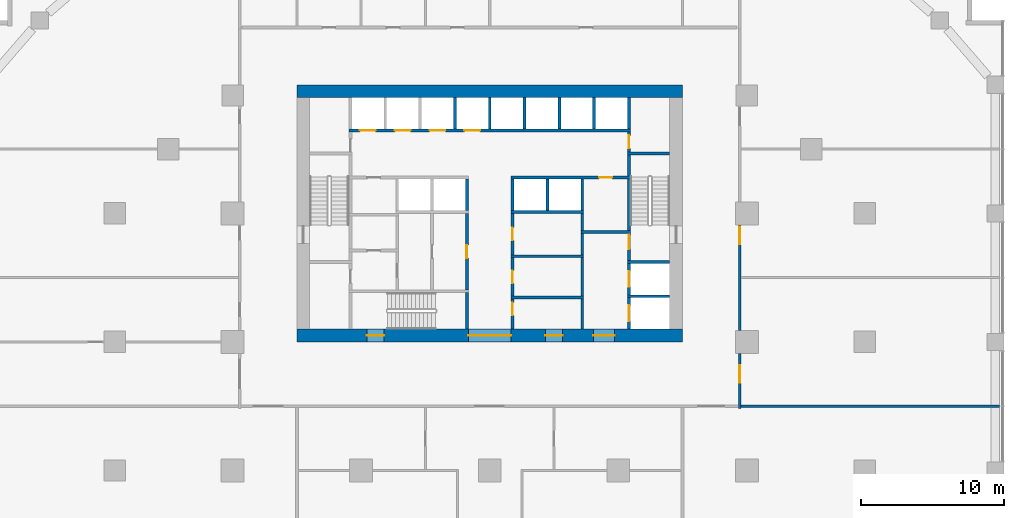
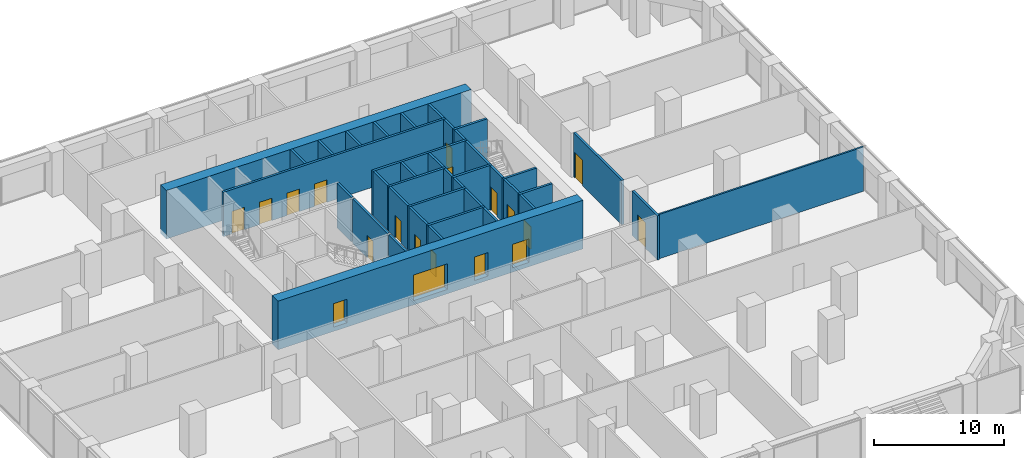
# One storey, part 14 of 18: 39 walls, 19 doors, 19 openings.
"""IFC4 building model written with IfcOpenShell, lengths in metres."""

from ifc_helpers import new_model, si_unit, direction, frame, frame_2d, origin, place, context, subcontext, project, spatial, rectangle, extrude, material, layer, layer_set, type_object, element, fill, save


model = new_model("IFC4")

# Units and contexts
model_context = context("Model", 3, precision=1e-05, world=origin(), true_north=direction((0.0, 1.0)))
body_context = subcontext(model_context, "Body", "Model", "MODEL_VIEW")
ifc_project = project(units=[si_unit("LENGTHUNIT", "METRE"), si_unit("AREAUNIT", "SQUARE_METRE"), si_unit("VOLUMEUNIT", "CUBIC_METRE"), si_unit("PLANEANGLEUNIT", "RADIAN"), si_unit("MASSUNIT", "GRAM", prefix="KILO")], contexts=[model_context])

# Site, building, storey
site_placement = place(None, origin())
site = spatial("IfcSite", under=ifc_project, at=site_placement, CompositionType="ELEMENT")
building_placement = place(site_placement, origin())
building = spatial("IfcBuilding", under=site, at=building_placement, Name="Orbiselva Terraces", CompositionType="ELEMENT")
storey_placement = place(building_placement, frame((0.0, 0.0, 6.0)))
storey = spatial("IfcBuildingStorey", under=building, at=storey_placement, Name="L01", CompositionType="ELEMENT", Elevation=6.0)

# Wall, openings, doors
ifc_material_1 = material(Name="Concrete C80/95", Category="concrete")
ifc_layer_1 = layer(ifc_material_1, 0.9)
ifc_layer_set_1 = layer_set([ifc_layer_1], Name="Concrete C80/95")
wall_type_1 = type_object("IfcWallType", Name="CORE WALL 900", PredefinedType="SHEAR", material=ifc_layer_set_1)
wall_1_placement = place(storey_placement, frame((-13.5, 4.95, -0.4), z_axis=(0.0, 0.0, 1.0), x_axis=(1.0, 0.0, 0.0)))
wall_1 = element("IfcWall", 1, at=wall_1_placement, inside=storey, type_object=wall_type_1, Name="Core wall L01 south", PredefinedType="SHEAR", context=body_context, shape_type="SweptSolid", body=[
    extrude(rectangle(XDim=27.0, YDim=0.9, at=frame_2d((13.5, 0.0))), origin(), (0.0, 0.0, 1.0), 4.55),
])
opening_1_placement = place(wall_1_placement, frame((12.0, 0.0, 0.4)))
opening_1 = element("IfcOpeningElement", 2, at=opening_1_placement, cuts=wall_1, Name="Opening DL3000", PredefinedType="OPENING", context=body_context, shape_type="SweptSolid", body=[
    extrude(rectangle(XDim=3.0, YDim=2.4, at=frame_2d((1.5, 1.2))), frame((0.0, 0.46, 0.0), z_axis=(0.0, -1.0, 0.0), x_axis=(1.0, 0.0, 0.0)), (0.0, 0.0, 1.0), 0.92),
])
opening_2_placement = place(wall_1_placement, frame((4.9, 0.0, 0.4)))
opening_2 = element("IfcOpeningElement", 3, at=opening_2_placement, cuts=wall_1, Name="Opening DS1200", PredefinedType="OPENING", context=body_context, shape_type="SweptSolid", body=[
    extrude(rectangle(XDim=1.2, YDim=2.2, at=frame_2d((0.6, 1.1))), frame((0.0, 0.46, 0.0), z_axis=(0.0, -1.0, 0.0), x_axis=(1.0, 0.0, 0.0)), (0.0, 0.0, 1.0), 0.92),
])
opening_3_placement = place(wall_1_placement, frame((20.75, 0.0, 0.4)))
opening_3 = element("IfcOpeningElement", 4, at=opening_3_placement, cuts=wall_1, Name="Opening DF1500", PredefinedType="OPENING", context=body_context, shape_type="SweptSolid", body=[
    extrude(rectangle(XDim=1.5, YDim=2.2, at=frame_2d((0.75, 1.1))), frame((0.0, 0.46, 0.0), z_axis=(0.0, -1.0, 0.0), x_axis=(1.0, 0.0, 0.0)), (0.0, 0.0, 1.0), 0.92),
])
opening_4_placement = place(wall_1_placement, frame((17.4, 0.0, 0.4)))
opening_4 = element("IfcOpeningElement", 5, at=opening_4_placement, cuts=wall_1, Name="Opening DV1200", PredefinedType="OPENING", context=body_context, shape_type="SweptSolid", body=[
    extrude(rectangle(XDim=1.2, YDim=2.2, at=frame_2d((0.6, 1.1))), frame((0.0, 0.46, 0.0), z_axis=(0.0, -1.0, 0.0), x_axis=(1.0, 0.0, 0.0)), (0.0, 0.0, 1.0), 0.92),
])
ifc_material_2 = material(Name="Steel fire door", Category="steel")
door_type_1 = type_object("IfcDoorType", Name="FFL DOOR 1500", OperationType="DOUBLE_DOOR_SINGLE_SWING", PredefinedType="DOOR", material=ifc_material_2)
door_1_placement = place(opening_3_placement, frame((1.5, 0.0, 0.0), z_axis=(0.0, 0.0, 1.0), x_axis=(-1.0, 0.0, 0.0)))
door_1 = element("IfcDoor", 6, at=door_1_placement, inside=storey, type_object=door_type_1, Name="L01 FIRE-FIGHTING LOBBY door", OperationType="DOUBLE_DOOR_SINGLE_SWING", OverallHeight=2.2, OverallWidth=1.5, PredefinedType="DOOR", context=body_context, shape_type="SweptSolid", body=[
    extrude(rectangle(XDim=1.5, YDim=2.2, at=frame_2d((0.75, 1.1))), frame((0.0, 0.025, 0.0), z_axis=(0.0, -1.0, 0.0), x_axis=(1.0, 0.0, 0.0)), (0.0, 0.0, 1.0), 0.05),
])
fill(opening_3, door_1)
door_type_2 = type_object("IfcDoorType", Name="LOBBY DOOR 3000", OperationType="DOUBLE_DOOR_SINGLE_SWING", PredefinedType="DOOR", material=ifc_material_2)
door_2_placement = place(opening_1_placement, frame((3.0, 0.0, 0.0), z_axis=(0.0, 0.0, 1.0), x_axis=(-1.0, 0.0, 0.0)))
door_2 = element("IfcDoor", 7, at=door_2_placement, inside=storey, type_object=door_type_2, Name="L01 LIFT LOBBY door", OperationType="DOUBLE_DOOR_SINGLE_SWING", OverallHeight=2.4, OverallWidth=3.0, PredefinedType="DOOR", context=body_context, shape_type="SweptSolid", body=[
    extrude(rectangle(XDim=3.0, YDim=2.4, at=frame_2d((1.5, 1.2))), frame((0.0, 0.025, 0.0), z_axis=(0.0, -1.0, 0.0), x_axis=(1.0, 0.0, 0.0)), (0.0, 0.0, 1.0), 0.05),
])
fill(opening_1, door_2)
door_type_3 = type_object("IfcDoorType", Name="SERVICE DOOR 1200", OperationType="NOTDEFINED", PredefinedType="DOOR", material=ifc_material_2)
door_3_placement = place(opening_4_placement, frame((1.2, 0.0, 0.0), z_axis=(0.0, 0.0, 1.0), x_axis=(-1.0, 0.0, 0.0)))
door_3 = element("IfcDoor", 8, at=door_3_placement, inside=storey, type_object=door_type_3, Name="L01 ELECTRICAL RISER ROOM door", OperationType="SINGLE_SWING_RIGHT", OverallHeight=2.2, OverallWidth=1.2, PredefinedType="DOOR", context=body_context, shape_type="SweptSolid", body=[
    extrude(rectangle(XDim=1.2, YDim=2.2, at=frame_2d((0.6, 1.1))), frame((0.0, 0.025, 0.0), z_axis=(0.0, -1.0, 0.0), x_axis=(1.0, 0.0, 0.0)), (0.0, 0.0, 1.0), 0.05),
])
fill(opening_4, door_3)
door_type_4 = type_object("IfcDoorType", Name="STAIR DOOR 1200", OperationType="NOTDEFINED", PredefinedType="DOOR", material=ifc_material_2)
door_4_placement = place(opening_2_placement, frame((1.2, 0.0, 0.0), z_axis=(0.0, 0.0, 1.0), x_axis=(-1.0, 0.0, 0.0)))
door_4 = element("IfcDoor", 9, at=door_4_placement, inside=storey, type_object=door_type_4, Name="L01 EXIT STAIR S3 door", OperationType="SINGLE_SWING_LEFT", OverallHeight=2.2, OverallWidth=1.2, PredefinedType="DOOR", context=body_context, shape_type="SweptSolid", body=[
    extrude(rectangle(XDim=1.2, YDim=2.2, at=frame_2d((0.6, 1.1))), frame((0.0, 0.025, 0.0), z_axis=(0.0, -1.0, 0.0), x_axis=(1.0, 0.0, 0.0)), (0.0, 0.0, 1.0), 0.05),
])
fill(opening_2, door_4)

# Wall
ifc_layer_2 = layer(ifc_material_1, 0.9)
ifc_layer_set_2 = layer_set([ifc_layer_2], Name="Concrete C80/95")
wall_type_2 = type_object("IfcWallType", Name="CORE WALL 900 EXTERNAL", PredefinedType="SHEAR", material=ifc_layer_set_2)
wall_2_placement = place(storey_placement, frame((13.5, 22.05, -0.4), z_axis=(0.0, 0.0, 1.0), x_axis=(-1.0, 0.0, 0.0)))
element("IfcWall", 10, at=wall_2_placement, inside=storey, type_object=wall_type_2, Name="Core wall L01 north", PredefinedType="SHEAR", context=body_context, shape_type="SweptSolid", body=[
    extrude(rectangle(XDim=27.0, YDim=0.9, at=frame_2d((13.5, 0.0))), origin(), (0.0, 0.0, 1.0), 4.55),
])

# Wall, opening, door
ifc_material_3 = material(Name="Masonry blockwork", Category="masonry")
ifc_layer_3 = layer(ifc_material_3, 0.2)
ifc_layer_set_3 = layer_set([ifc_layer_3], Name="Masonry blockwork")
wall_type_3 = type_object("IfcWallType", Name="CORE-WALL-PARTITION-200", PredefinedType="PARTITIONING", material=ifc_layer_set_3)
wall_3_placement = place(storey_placement, frame((1.6, 7.5, 0.0), z_axis=(0.0, 0.0, 1.0), x_axis=(0.0, -1.0, 0.0)))
wall_3 = element("IfcWall", 11, at=wall_3_placement, inside=storey, type_object=wall_type_3, Name="L01 core wall 29", PredefinedType="PARTITIONING", context=body_context, shape_type="SweptSolid", body=[
    extrude(rectangle(XDim=2.1, YDim=0.2, at=frame_2d((1.05, 0.0))), origin(), (0.0, 0.0, 1.0), 4.15),
])
opening_5_placement = place(wall_3_placement, frame((0.25, 0.0, 0.0)))
opening_5 = element("IfcOpeningElement", 12, at=opening_5_placement, cuts=wall_3, Name="Opening DR900", PredefinedType="OPENING", context=body_context, shape_type="SweptSolid", body=[
    extrude(rectangle(XDim=0.9, YDim=2.1, at=frame_2d((0.45, 1.05))), frame((0.0, 0.11, 0.0), z_axis=(0.0, -1.0, 0.0), x_axis=(1.0, 0.0, 0.0)), (0.0, 0.0, 1.0), 0.22),
])
door_type_5 = type_object("IfcDoorType", Name="ROOM DOOR 900", OperationType="NOTDEFINED", PredefinedType="DOOR", material=ifc_material_2)
door_5_placement = place(opening_5_placement, origin())
door_5 = element("IfcDoor", 13, at=door_5_placement, inside=storey, type_object=door_type_5, Name="L01 ELECTRICAL RISER ROOM door", OperationType="SINGLE_SWING_LEFT", OverallHeight=2.1, OverallWidth=0.9, PredefinedType="DOOR", context=body_context, shape_type="SweptSolid", body=[
    extrude(rectangle(XDim=0.9, YDim=2.1, at=frame_2d((0.45, 1.05))), frame((0.0, 0.025, 0.0), z_axis=(0.0, -1.0, 0.0), x_axis=(1.0, 0.0, 0.0)), (0.0, 0.0, 1.0), 0.05),
])
fill(opening_5, door_5)

wall_4_placement = place(storey_placement, frame((1.6, 10.4, 0.0), z_axis=(0.0, 0.0, 1.0), x_axis=(0.0, -1.0, 0.0)))
wall_4 = element("IfcWall", 14, at=wall_4_placement, inside=storey, type_object=wall_type_3, Name="L01 core wall 31", PredefinedType="PARTITIONING", context=body_context, shape_type="SweptSolid", body=[
    extrude(rectangle(XDim=2.7, YDim=0.2, at=frame_2d((1.35, 0.0))), origin(), (0.0, 0.0, 1.0), 4.15),
])
opening_6_placement = place(wall_4_placement, frame((0.9, 0.0, 0.0)))
opening_6 = element("IfcOpeningElement", 15, at=opening_6_placement, cuts=wall_4, Name="Opening DR900", PredefinedType="OPENING", context=body_context, shape_type="SweptSolid", body=[
    extrude(rectangle(XDim=0.9, YDim=2.1, at=frame_2d((0.45, 1.05))), frame((0.0, 0.11, 0.0), z_axis=(0.0, -1.0, 0.0), x_axis=(1.0, 0.0, 0.0)), (0.0, 0.0, 1.0), 0.22),
])
door_6_placement = place(opening_6_placement, origin())
door_6 = element("IfcDoor", 16, at=door_6_placement, inside=storey, type_object=door_type_5, Name="L01 SERVICE PANTRY door", OperationType="SINGLE_SWING_LEFT", OverallHeight=2.1, OverallWidth=0.9, PredefinedType="DOOR", context=body_context, shape_type="SweptSolid", body=[
    extrude(rectangle(XDim=0.9, YDim=2.1, at=frame_2d((0.45, 1.05))), frame((0.0, 0.025, 0.0), z_axis=(0.0, -1.0, 0.0), x_axis=(1.0, 0.0, 0.0)), (0.0, 0.0, 1.0), 0.05),
])
fill(opening_6, door_6)

wall_5_placement = place(storey_placement, frame((1.6, 13.5, 0.0), z_axis=(0.0, 0.0, 1.0), x_axis=(0.0, -1.0, 0.0)))
wall_5 = element("IfcWall", 17, at=wall_5_placement, inside=storey, type_object=wall_type_3, Name="L01 core wall 33", PredefinedType="PARTITIONING", context=body_context, shape_type="SweptSolid", body=[
    extrude(rectangle(XDim=2.9, YDim=0.2, at=frame_2d((1.45, 0.0))), origin(), (0.0, 0.0, 1.0), 4.15),
])
opening_7_placement = place(wall_5_placement, frame((1.0, 0.0, 0.0)))
opening_7 = element("IfcOpeningElement", 18, at=opening_7_placement, cuts=wall_5, Name="Opening DR900", PredefinedType="OPENING", context=body_context, shape_type="SweptSolid", body=[
    extrude(rectangle(XDim=0.9, YDim=2.1, at=frame_2d((0.45, 1.05))), frame((0.0, 0.11, 0.0), z_axis=(0.0, -1.0, 0.0), x_axis=(1.0, 0.0, 0.0)), (0.0, 0.0, 1.0), 0.22),
])
door_7_placement = place(opening_7_placement, origin())
door_7 = element("IfcDoor", 19, at=door_7_placement, inside=storey, type_object=door_type_5, Name="L01 STAFF WC door", OperationType="SINGLE_SWING_LEFT", OverallHeight=2.1, OverallWidth=0.9, PredefinedType="DOOR", context=body_context, shape_type="SweptSolid", body=[
    extrude(rectangle(XDim=0.9, YDim=2.1, at=frame_2d((0.45, 1.05))), frame((0.0, 0.025, 0.0), z_axis=(0.0, -1.0, 0.0), x_axis=(1.0, 0.0, 0.0)), (0.0, 0.0, 1.0), 0.05),
])
fill(opening_7, door_7)

# Wall
wall_6_placement = place(storey_placement, frame((6.475, 12.3, 0.0), z_axis=(0.0, 0.0, 1.0), x_axis=(0.0, 1.0, 0.0)))
element("IfcWall", 20, at=wall_6_placement, inside=storey, type_object=wall_type_3, Name="L01 core wall 44", PredefinedType="PARTITIONING", context=body_context, shape_type="SweptSolid", body=[
    extrude(rectangle(XDim=1.2, YDim=0.2, at=frame_2d((0.6, 0.0))), origin(), (0.0, 0.0, 1.0), 4.15),
])

# Wall, opening, door
wall_7_placement = place(storey_placement, frame((9.75, 19.2, 0.0), z_axis=(0.0, 0.0, 1.0), x_axis=(0.0, -1.0, 0.0)))
wall_7 = element("IfcWall", 21, at=wall_7_placement, inside=storey, type_object=wall_type_3, Name="L01 core wall 55", PredefinedType="PARTITIONING", context=body_context, shape_type="SweptSolid", body=[
    extrude(rectangle(XDim=1.4, YDim=0.2, at=frame_2d((0.7, 0.0))), origin(), (0.0, 0.0, 1.0), 4.15),
])
opening_8_placement = place(wall_7_placement, frame((0.25, 0.0, 0.0)))
opening_8 = element("IfcOpeningElement", 22, at=opening_8_placement, cuts=wall_7, Name="Opening DR900", PredefinedType="OPENING", context=body_context, shape_type="SweptSolid", body=[
    extrude(rectangle(XDim=0.9, YDim=2.1, at=frame_2d((0.45, 1.05))), frame((0.0, 0.11, 0.0), z_axis=(0.0, -1.0, 0.0), x_axis=(1.0, 0.0, 0.0)), (0.0, 0.0, 1.0), 0.22),
])
door_8_placement = place(opening_8_placement, origin())
door_8 = element("IfcDoor", 23, at=door_8_placement, inside=storey, type_object=door_type_5, Name="L01 COMMS RISER ROOM door", OperationType="SINGLE_SWING_RIGHT", OverallHeight=2.1, OverallWidth=0.9, PredefinedType="DOOR", context=body_context, shape_type="SweptSolid", body=[
    extrude(rectangle(XDim=0.9, YDim=2.1, at=frame_2d((0.45, 1.05))), frame((0.0, 0.025, 0.0), z_axis=(0.0, -1.0, 0.0), x_axis=(1.0, 0.0, 0.0)), (0.0, 0.0, 1.0), 0.05),
])
fill(opening_8, door_8)

# Walls
ifc_material_4 = material(Name="Concrete C40/50", Category="concrete")
ifc_layer_4 = layer(ifc_material_4, 0.2)
ifc_layer_set_4 = layer_set([ifc_layer_4], Name="Concrete C40/50")
wall_type_4 = type_object("IfcWallType", Name="CORE-WALL-SHAFT-200", PredefinedType="PARTITIONING", material=ifc_layer_set_4)
for number, where, z_axis, x_axis, name in (
    (24, (-2.4375, 19.4, 0.0), (0.0, 0.0, 1.0), (0.0, 1.0, 0.0), "L01 core wall 24"),
    (25, (-1.6, 13.7, 0.0), (0.0, 0.0, 1.0), (0.0, 1.0, 0.0), "L01 core wall 27"),
    (26, (0.0, 19.4, 0.0), (0.0, 0.0, 1.0), (0.0, 1.0, 0.0), "L01 core wall 28"),
    (27, (1.6, 13.7, 0.0), (0.0, 0.0, 1.0), (0.0, 1.0, 0.0), "L01 core wall 35"),
    (28, (2.4375, 19.4, 0.0), (0.0, 0.0, 1.0), (0.0, 1.0, 0.0), "L01 core wall 37"),
    (29, (4.0375, 13.7, 0.0), (0.0, 0.0, 1.0), (0.0, 1.0, 0.0), "L01 core wall 38"),
    (30, (4.875, 19.4, 0.0), (0.0, 0.0, 1.0), (0.0, 1.0, 0.0), "L01 core wall 39"),
    (31, (6.475, 13.7, 0.0), (0.0, 0.0, 1.0), (0.0, 1.0, 0.0), "L01 core wall 45"),
    (32, (7.3125, 19.4, 0.0), (0.0, 0.0, 1.0), (0.0, 1.0, 0.0), "L01 core wall 46"),
    (33, (9.75, 19.4, 0.0), (0.0, 0.0, 1.0), (0.0, 1.0, 0.0), "L01 core wall 56"),
):
    element("IfcWall", number, at=place(storey_placement, frame(where, z_axis=z_axis, x_axis=x_axis)), inside=storey, type_object=wall_type_4, Name=name, PredefinedType="PARTITIONING", context=body_context, shape_type="SweptSolid", body=[
        extrude(rectangle(XDim=2.2, YDim=0.2, at=frame_2d((1.1, 0.0))), origin(), (0.0, 0.0, 1.0), 4.15),
    ])

# Wall, openings, doors
ifc_material_5 = material(Name="Concrete C60/75", Category="concrete")
ifc_layer_5 = layer(ifc_material_5, 0.2)
ifc_layer_set_5 = layer_set([ifc_layer_5], Name="Concrete C60/75")
wall_type_5 = type_object("IfcWallType", Name="CORE-WALL-SHEAR-200", PredefinedType="SHEAR", material=ifc_layer_set_5)
wall_8_placement = place(storey_placement, frame((-9.85, 19.3, 0.0), z_axis=(0.0, 0.0, 1.0), x_axis=(1.0, 0.0, 0.0)))
wall_8 = element("IfcWall", 34, at=wall_8_placement, inside=storey, type_object=wall_type_5, Name="L01 core wall 14", PredefinedType="SHEAR", context=body_context, shape_type="SweptSolid", body=[
    extrude(rectangle(XDim=19.7, YDim=0.2, at=frame_2d((9.85, 0.0))), origin(), (0.0, 0.0, 1.0), 4.15),
])
opening_9_placement = place(wall_8_placement, frame((0.76875, 0.0, 0.0)))
opening_9 = element("IfcOpeningElement", 35, at=opening_9_placement, cuts=wall_8, Name="Opening LD-LR1", PredefinedType="OPENING", context=body_context, shape_type="SweptSolid", body=[
    extrude(rectangle(XDim=1.1, YDim=2.1, at=frame_2d((0.55, 1.05))), frame((0.0, 0.11, 0.0), z_axis=(0.0, -1.0, 0.0), x_axis=(1.0, 0.0, 0.0)), (0.0, 0.0, 1.0), 0.22),
])
opening_10_placement = place(wall_8_placement, frame((3.20625, 0.0, 0.0)))
opening_10 = element("IfcOpeningElement", 36, at=opening_10_placement, cuts=wall_8, Name="Opening LD-LR2", PredefinedType="OPENING", context=body_context, shape_type="SweptSolid", body=[
    extrude(rectangle(XDim=1.1, YDim=2.1, at=frame_2d((0.55, 1.05))), frame((0.0, 0.11, 0.0), z_axis=(0.0, -1.0, 0.0), x_axis=(1.0, 0.0, 0.0)), (0.0, 0.0, 1.0), 0.22),
])
opening_11_placement = place(wall_8_placement, frame((5.64375, 0.0, 0.0)))
opening_11 = element("IfcOpeningElement", 37, at=opening_11_placement, cuts=wall_8, Name="Opening LD-LR3", PredefinedType="OPENING", context=body_context, shape_type="SweptSolid", body=[
    extrude(rectangle(XDim=1.1, YDim=2.1, at=frame_2d((0.55, 1.05))), frame((0.0, 0.11, 0.0), z_axis=(0.0, -1.0, 0.0), x_axis=(1.0, 0.0, 0.0)), (0.0, 0.0, 1.0), 0.22),
])
opening_12_placement = place(wall_8_placement, frame((8.08125, 0.0, 0.0)))
opening_12 = element("IfcOpeningElement", 38, at=opening_12_placement, cuts=wall_8, Name="Opening LD-LR4", PredefinedType="OPENING", context=body_context, shape_type="SweptSolid", body=[
    extrude(rectangle(XDim=1.1, YDim=2.1, at=frame_2d((0.55, 1.05))), frame((0.0, 0.11, 0.0), z_axis=(0.0, -1.0, 0.0), x_axis=(1.0, 0.0, 0.0)), (0.0, 0.0, 1.0), 0.22),
])
ifc_material_6 = material(Name="Stainless steel landing door", Category="steel")
door_type_6 = type_object("IfcDoorType", Name="LANDING DOOR 1100", OperationType="SLIDING_TO_LEFT", PredefinedType="DOOR", material=ifc_material_6)
door_9_placement = place(opening_9_placement, origin())
door_9 = element("IfcDoor", 39, at=door_9_placement, inside=storey, type_object=door_type_6, Name="L01 landing door LR1", OperationType="SLIDING_TO_LEFT", OverallHeight=2.1, OverallWidth=1.1, PredefinedType="DOOR", context=body_context, shape_type="SweptSolid", body=[
    extrude(rectangle(XDim=1.1, YDim=2.1, at=frame_2d((0.55, 1.05))), frame((0.0, 0.025, 0.0), z_axis=(0.0, -1.0, 0.0), x_axis=(1.0, 0.0, 0.0)), (0.0, 0.0, 1.0), 0.05),
])
fill(opening_9, door_9)
door_10_placement = place(opening_10_placement, origin())
door_10 = element("IfcDoor", 40, at=door_10_placement, inside=storey, type_object=door_type_6, Name="L01 landing door LR2", OperationType="SLIDING_TO_LEFT", OverallHeight=2.1, OverallWidth=1.1, PredefinedType="DOOR", context=body_context, shape_type="SweptSolid", body=[
    extrude(rectangle(XDim=1.1, YDim=2.1, at=frame_2d((0.55, 1.05))), frame((0.0, 0.025, 0.0), z_axis=(0.0, -1.0, 0.0), x_axis=(1.0, 0.0, 0.0)), (0.0, 0.0, 1.0), 0.05),
])
fill(opening_10, door_10)
door_11_placement = place(opening_11_placement, origin())
door_11 = element("IfcDoor", 41, at=door_11_placement, inside=storey, type_object=door_type_6, Name="L01 landing door LR3", OperationType="SLIDING_TO_LEFT", OverallHeight=2.1, OverallWidth=1.1, PredefinedType="DOOR", context=body_context, shape_type="SweptSolid", body=[
    extrude(rectangle(XDim=1.1, YDim=2.1, at=frame_2d((0.55, 1.05))), frame((0.0, 0.025, 0.0), z_axis=(0.0, -1.0, 0.0), x_axis=(1.0, 0.0, 0.0)), (0.0, 0.0, 1.0), 0.05),
])
fill(opening_11, door_11)
door_12_placement = place(opening_12_placement, origin())
door_12 = element("IfcDoor", 42, at=door_12_placement, inside=storey, type_object=door_type_6, Name="L01 landing door LR4", OperationType="SLIDING_TO_LEFT", OverallHeight=2.1, OverallWidth=1.1, PredefinedType="DOOR", context=body_context, shape_type="SweptSolid", body=[
    extrude(rectangle(XDim=1.1, YDim=2.1, at=frame_2d((0.55, 1.05))), frame((0.0, 0.025, 0.0), z_axis=(0.0, -1.0, 0.0), x_axis=(1.0, 0.0, 0.0)), (0.0, 0.0, 1.0), 0.05),
])
fill(opening_12, door_12)

# Wall
wall_9_placement = place(storey_placement, frame((-1.6, 5.4, 0.0), z_axis=(0.0, 0.0, 1.0), x_axis=(0.0, 1.0, 0.0)))
element("IfcWall", 43, at=wall_9_placement, inside=storey, type_object=wall_type_5, Name="L01 core wall 25", PredefinedType="SHEAR", context=body_context, shape_type="SweptSolid", body=[
    extrude(rectangle(XDim=2.55, YDim=0.2, at=frame_2d((1.275, 0.0))), origin(), (0.0, 0.0, 1.0), 4.15),
])

# Wall, opening, door
wall_10_placement = place(storey_placement, frame((-1.6, 8.15, 0.0), z_axis=(0.0, 0.0, 1.0), x_axis=(0.0, 1.0, 0.0)))
wall_10 = element("IfcWall", 44, at=wall_10_placement, inside=storey, type_object=wall_type_5, Name="L01 core wall 26", PredefinedType="SHEAR", context=body_context, shape_type="SweptSolid", body=[
    extrude(rectangle(XDim=5.35, YDim=0.2, at=frame_2d((2.675, 0.0))), origin(), (0.0, 0.0, 1.0), 4.15),
])
opening_13_placement = place(wall_10_placement, frame((2.225, 0.0, 0.0)))
opening_13 = element("IfcOpeningElement", 45, at=opening_13_placement, cuts=wall_10, Name="Opening DR900", PredefinedType="OPENING", context=body_context, shape_type="SweptSolid", body=[
    extrude(rectangle(XDim=0.9, YDim=2.1, at=frame_2d((0.45, 1.05))), frame((0.0, 0.11, 0.0), z_axis=(0.0, -1.0, 0.0), x_axis=(1.0, 0.0, 0.0)), (0.0, 0.0, 1.0), 0.22),
])
door_13_placement = place(opening_13_placement, origin())
door_13 = element("IfcDoor", 46, at=door_13_placement, inside=storey, type_object=door_type_5, Name="L01 GUEST PANTRY door", OperationType="SINGLE_SWING_RIGHT", OverallHeight=2.1, OverallWidth=0.9, PredefinedType="DOOR", context=body_context, shape_type="SweptSolid", body=[
    extrude(rectangle(XDim=0.9, YDim=2.1, at=frame_2d((0.45, 1.05))), frame((0.0, 0.025, 0.0), z_axis=(0.0, -1.0, 0.0), x_axis=(1.0, 0.0, 0.0)), (0.0, 0.0, 1.0), 0.05),
])
fill(opening_13, door_13)

# Walls
for number, where, z_axis, x_axis, name in (
    (47, (1.5, 7.6, 0.0), (0.0, 0.0, 1.0), (1.0, 0.0, 0.0), "L01 core wall 30"),
    (48, (1.5, 10.5, 0.0), (0.0, 0.0, 1.0), (1.0, 0.0, 0.0), "L01 core wall 32"),
    (49, (1.5, 13.6, 0.0), (0.0, 0.0, 1.0), (1.0, 0.0, 0.0), "L01 core wall 34"),
):
    element("IfcWall", number, at=place(storey_placement, frame(where, z_axis=z_axis, x_axis=x_axis)), inside=storey, type_object=wall_type_5, Name=name, PredefinedType="SHEAR", context=body_context, shape_type="SweptSolid", body=[
        extrude(rectangle(XDim=5.075, YDim=0.2, at=frame_2d((2.5375, 0.0))), origin(), (0.0, 0.0, 1.0), 4.15),
    ])

# Wall, opening, door
wall_11_placement = place(storey_placement, frame((9.85, 16.0, 0.0), z_axis=(0.0, 0.0, 1.0), x_axis=(-1.0, 0.0, 0.0)))
wall_11 = element("IfcWall", 50, at=wall_11_placement, inside=storey, type_object=wall_type_5, Name="L01 core wall 36", PredefinedType="SHEAR", context=body_context, shape_type="SweptSolid", body=[
    extrude(rectangle(XDim=8.35, YDim=0.2, at=frame_2d((4.175, 0.0))), origin(), (0.0, 0.0, 1.0), 4.15),
])
opening_14_placement = place(wall_11_placement, frame((1.2875, 0.0, 0.0)))
opening_14 = element("IfcOpeningElement", 51, at=opening_14_placement, cuts=wall_11, Name="Opening DR900", PredefinedType="OPENING", context=body_context, shape_type="SweptSolid", body=[
    extrude(rectangle(XDim=0.9, YDim=2.1, at=frame_2d((0.45, 1.05))), frame((0.0, 0.11, 0.0), z_axis=(0.0, -1.0, 0.0), x_axis=(1.0, 0.0, 0.0)), (0.0, 0.0, 1.0), 0.22),
])
door_14_placement = place(opening_14_placement, origin())
door_14 = element("IfcDoor", 52, at=door_14_placement, inside=storey, type_object=door_type_5, Name="L01 PIPE RISER ROOM door", OperationType="SINGLE_SWING_LEFT", OverallHeight=2.1, OverallWidth=0.9, PredefinedType="DOOR", context=body_context, shape_type="SweptSolid", body=[
    extrude(rectangle(XDim=0.9, YDim=2.1, at=frame_2d((0.45, 1.05))), frame((0.0, 0.025, 0.0), z_axis=(0.0, -1.0, 0.0), x_axis=(1.0, 0.0, 0.0)), (0.0, 0.0, 1.0), 0.05),
])
fill(opening_14, door_14)

# Walls
wall_12_placement = place(storey_placement, frame((6.475, 5.4, 0.0), z_axis=(0.0, 0.0, 1.0), x_axis=(0.0, 1.0, 0.0)))
element("IfcWall", 53, at=wall_12_placement, inside=storey, type_object=wall_type_5, Name="L01 core wall 40", PredefinedType="SHEAR", context=body_context, shape_type="SweptSolid", body=[
    extrude(rectangle(XDim=2.1, YDim=0.2, at=frame_2d((1.05, 0.0))), origin(), (0.0, 0.0, 1.0), 4.15),
])
wall_13_placement = place(storey_placement, frame((6.475, 7.7, 0.0), z_axis=(0.0, 0.0, 1.0), x_axis=(0.0, 1.0, 0.0)))
element("IfcWall", 54, at=wall_13_placement, inside=storey, type_object=wall_type_5, Name="L01 core wall 41", PredefinedType="SHEAR", context=body_context, shape_type="SweptSolid", body=[
    extrude(rectangle(XDim=2.7, YDim=0.2, at=frame_2d((1.35, 0.0))), origin(), (0.0, 0.0, 1.0), 4.15),
])
wall_14_placement = place(storey_placement, frame((6.475, 10.6, 0.0), z_axis=(0.0, 0.0, 1.0), x_axis=(0.0, 1.0, 0.0)))
element("IfcWall", 55, at=wall_14_placement, inside=storey, type_object=wall_type_5, Name="L01 core wall 42", PredefinedType="SHEAR", context=body_context, shape_type="SweptSolid", body=[
    extrude(rectangle(XDim=1.5, YDim=0.2, at=frame_2d((0.75, 0.0))), origin(), (0.0, 0.0, 1.0), 4.15),
])
wall_15_placement = place(storey_placement, frame((6.375, 12.2, 0.0), z_axis=(0.0, 0.0, 1.0), x_axis=(1.0, 0.0, 0.0)))
element("IfcWall", 56, at=wall_15_placement, inside=storey, type_object=wall_type_5, Name="L01 core wall 43", PredefinedType="SHEAR", context=body_context, shape_type="SweptSolid", body=[
    extrude(rectangle(XDim=3.475, YDim=0.2, at=frame_2d((1.7375, 0.0))), origin(), (0.0, 0.0, 1.0), 4.15),
])

# Wall, opening, door
wall_16_placement = place(storey_placement, frame((9.75, 5.4, 0.0), z_axis=(0.0, 0.0, 1.0), x_axis=(0.0, 1.0, 0.0)))
wall_16 = element("IfcWall", 57, at=wall_16_placement, inside=storey, type_object=wall_type_5, Name="L01 core wall 47", PredefinedType="SHEAR", context=body_context, shape_type="SweptSolid", body=[
    extrude(rectangle(XDim=2.2, YDim=0.2, at=frame_2d((1.1, 0.0))), origin(), (0.0, 0.0, 1.0), 4.15),
])
opening_15_placement = place(wall_16_placement, frame((0.55, 0.0, 0.0)))
opening_15 = element("IfcOpeningElement", 58, at=opening_15_placement, cuts=wall_16, Name="Opening LD-FF1", PredefinedType="OPENING", context=body_context, shape_type="SweptSolid", body=[
    extrude(rectangle(XDim=1.1, YDim=2.1, at=frame_2d((0.55, 1.05))), frame((0.0, 0.11, 0.0), z_axis=(0.0, -1.0, 0.0), x_axis=(1.0, 0.0, 0.0)), (0.0, 0.0, 1.0), 0.22),
])
door_15_placement = place(opening_15_placement, origin())
door_15 = element("IfcDoor", 59, at=door_15_placement, inside=storey, type_object=door_type_6, Name="L01 landing door FF1", OperationType="SLIDING_TO_RIGHT", OverallHeight=2.1, OverallWidth=1.1, PredefinedType="DOOR", context=body_context, shape_type="SweptSolid", body=[
    extrude(rectangle(XDim=1.1, YDim=2.1, at=frame_2d((0.55, 1.05))), frame((0.0, 0.025, 0.0), z_axis=(0.0, -1.0, 0.0), x_axis=(1.0, 0.0, 0.0)), (0.0, 0.0, 1.0), 0.05),
])
fill(opening_15, door_15)

# Wall
wall_17_placement = place(storey_placement, frame((9.65, 7.7, 0.0), z_axis=(0.0, 0.0, 1.0), x_axis=(1.0, 0.0, 0.0)))
element("IfcWall", 60, at=wall_17_placement, inside=storey, type_object=wall_type_5, Name="L01 core wall 48", PredefinedType="SHEAR", context=body_context, shape_type="SweptSolid", body=[
    extrude(rectangle(XDim=2.95, YDim=0.2, at=frame_2d((1.475, 0.0))), origin(), (0.0, 0.0, 1.0), 4.15),
])

# Wall, opening, door
wall_18_placement = place(storey_placement, frame((9.75, 7.8, 0.0), z_axis=(0.0, 0.0, 1.0), x_axis=(0.0, 1.0, 0.0)))
wall_18 = element("IfcWall", 61, at=wall_18_placement, inside=storey, type_object=wall_type_5, Name="L01 core wall 49", PredefinedType="SHEAR", context=body_context, shape_type="SweptSolid", body=[
    extrude(rectangle(XDim=2.2, YDim=0.2, at=frame_2d((1.1, 0.0))), origin(), (0.0, 0.0, 1.0), 4.15),
])
opening_16_placement = place(wall_18_placement, frame((0.55, 0.0, 0.0)))
opening_16 = element("IfcOpeningElement", 62, at=opening_16_placement, cuts=wall_18, Name="Opening LD-FF2", PredefinedType="OPENING", context=body_context, shape_type="SweptSolid", body=[
    extrude(rectangle(XDim=1.1, YDim=2.1, at=frame_2d((0.55, 1.05))), frame((0.0, 0.11, 0.0), z_axis=(0.0, -1.0, 0.0), x_axis=(1.0, 0.0, 0.0)), (0.0, 0.0, 1.0), 0.22),
])
door_16_placement = place(opening_16_placement, origin())
door_16 = element("IfcDoor", 63, at=door_16_placement, inside=storey, type_object=door_type_6, Name="L01 landing door FF2", OperationType="SLIDING_TO_RIGHT", OverallHeight=2.1, OverallWidth=1.1, PredefinedType="DOOR", context=body_context, shape_type="SweptSolid", body=[
    extrude(rectangle(XDim=1.1, YDim=2.1, at=frame_2d((0.55, 1.05))), frame((0.0, 0.025, 0.0), z_axis=(0.0, -1.0, 0.0), x_axis=(1.0, 0.0, 0.0)), (0.0, 0.0, 1.0), 0.05),
])
fill(opening_16, door_16)

# Wall
wall_19_placement = place(storey_placement, frame((9.65, 10.1, 0.0), z_axis=(0.0, 0.0, 1.0), x_axis=(1.0, 0.0, 0.0)))
element("IfcWall", 64, at=wall_19_placement, inside=storey, type_object=wall_type_5, Name="L01 core wall 50", PredefinedType="SHEAR", context=body_context, shape_type="SweptSolid", body=[
    extrude(rectangle(XDim=2.95, YDim=0.2, at=frame_2d((1.475, 0.0))), origin(), (0.0, 0.0, 1.0), 4.15),
])

# Wall, opening, door
wall_20_placement = place(storey_placement, frame((9.75, 12.1, 0.0), z_axis=(0.0, 0.0, 1.0), x_axis=(0.0, -1.0, 0.0)))
wall_20 = element("IfcWall", 65, at=wall_20_placement, inside=storey, type_object=wall_type_5, Name="L01 core wall 51", PredefinedType="SHEAR", context=body_context, shape_type="SweptSolid", body=[
    extrude(rectangle(XDim=1.9, YDim=0.2, at=frame_2d((0.95, 0.0))), origin(), (0.0, 0.0, 1.0), 4.15),
])
opening_17_placement = place(wall_20_placement, frame((0.1, 0.0, 0.0)))
opening_17 = element("IfcOpeningElement", 66, at=opening_17_placement, cuts=wall_20, Name="Opening DS1000", PredefinedType="OPENING", context=body_context, shape_type="SweptSolid", body=[
    extrude(rectangle(XDim=1.0, YDim=2.2, at=frame_2d((0.5, 1.1))), frame((0.0, 0.11, 0.0), z_axis=(0.0, -1.0, 0.0), x_axis=(1.0, 0.0, 0.0)), (0.0, 0.0, 1.0), 0.22),
])
door_type_7 = type_object("IfcDoorType", Name="STAIR DOOR 1000", OperationType="NOTDEFINED", PredefinedType="DOOR", material=ifc_material_2)
door_17_placement = place(opening_17_placement, origin())
door_17 = element("IfcDoor", 67, at=door_17_placement, inside=storey, type_object=door_type_7, Name="L01 FIRE-FIGHTING LOBBY TO EXIT STAIR S2 door", OperationType="SINGLE_SWING_LEFT", OverallHeight=2.2, OverallWidth=1.0, PredefinedType="DOOR", context=body_context, shape_type="SweptSolid", body=[
    extrude(rectangle(XDim=1.0, YDim=2.2, at=frame_2d((0.5, 1.1))), frame((0.0, 0.025, 0.0), z_axis=(0.0, -1.0, 0.0), x_axis=(1.0, 0.0, 0.0)), (0.0, 0.0, 1.0), 0.05),
])
fill(opening_17, door_17)

# Walls
wall_21_placement = place(storey_placement, frame((9.75, 12.3, 0.0), z_axis=(0.0, 0.0, 1.0), x_axis=(0.0, 1.0, 0.0)))
element("IfcWall", 68, at=wall_21_placement, inside=storey, type_object=wall_type_5, Name="L01 core wall 52", PredefinedType="SHEAR", context=body_context, shape_type="SweptSolid", body=[
    extrude(rectangle(XDim=3.6, YDim=0.2, at=frame_2d((1.8, 0.0))), origin(), (0.0, 0.0, 1.0), 4.15),
])
wall_22_placement = place(storey_placement, frame((9.75, 16.1, 0.0), z_axis=(0.0, 0.0, 1.0), x_axis=(0.0, 1.0, 0.0)))
element("IfcWall", 69, at=wall_22_placement, inside=storey, type_object=wall_type_5, Name="L01 core wall 53", PredefinedType="SHEAR", context=body_context, shape_type="SweptSolid", body=[
    extrude(rectangle(XDim=1.5, YDim=0.2, at=frame_2d((0.75, 0.0))), origin(), (0.0, 0.0, 1.0), 4.15),
])
wall_23_placement = place(storey_placement, frame((9.65, 17.7, 0.0), z_axis=(0.0, 0.0, 1.0), x_axis=(1.0, 0.0, 0.0)))
element("IfcWall", 70, at=wall_23_placement, inside=storey, type_object=wall_type_5, Name="L01 core wall 54", PredefinedType="SHEAR", context=body_context, shape_type="SweptSolid", body=[
    extrude(rectangle(XDim=2.95, YDim=0.2, at=frame_2d((1.475, 0.0))), origin(), (0.0, 0.0, 1.0), 4.15),
])

# Wall, opening, door
ifc_material_7 = material(Name="Plasterboard on steel stud partition", Category="steel")
ifc_layer_6 = layer(ifc_material_7, 0.2)
ifc_layer_set_6 = layer_set([ifc_layer_6], Name="Plasterboard on steel stud partition")
wall_type_6 = type_object("IfcWallType", Name="UNIT-ENTRANCE-WALL-200", PredefinedType="PARTITIONING", material=ifc_layer_set_6)
wall_24_placement = place(storey_placement, frame((17.5, -0.175, 0.0), z_axis=(0.0, 0.0, 1.0), x_axis=(0.0, 1.0, 0.0)))
wall_24 = element("IfcWall", 71, at=wall_24_placement, inside=storey, type_object=wall_type_6, Name="PARTITION L01-049", PredefinedType="PARTITIONING", context=body_context, shape_type="SweptSolid", body=[
    extrude(rectangle(XDim=3.875, YDim=0.2, at=frame_2d((1.9375, 0.0))), origin(), (0.0, 0.0, 1.0), 4.15),
])
opening_18_placement = place(wall_24_placement, frame((1.825, 0.0, 0.0)))
opening_18 = element("IfcOpeningElement", 72, at=opening_18_placement, cuts=wall_24, Name="Opening PODIUM-AMENITY-02", PredefinedType="OPENING", context=body_context, shape_type="SweptSolid", body=[
    extrude(rectangle(XDim=1.2, YDim=2.4, at=frame_2d((0.6, 1.2))), frame((0.0, 0.11, 0.0), z_axis=(0.0, -1.0, 0.0), x_axis=(1.0, 0.0, 0.0)), (0.0, 0.0, 1.0), 0.22),
])
ifc_material_8 = material(Name="Painted timber door leaf", Category="wood")
door_type_8 = type_object("IfcDoorType", Name="PLANT DOOR 1200", OperationType="NOTDEFINED", PredefinedType="DOOR", material=ifc_material_8)
door_18_placement = place(opening_18_placement, origin())
door_18 = element("IfcDoor", 73, at=door_18_placement, inside=storey, type_object=door_type_8, Name="PODIUM-AMENITY-02", OperationType="SINGLE_SWING_RIGHT", OverallHeight=2.4, OverallWidth=1.2, PredefinedType="DOOR", context=body_context, shape_type="SweptSolid", body=[
    extrude(rectangle(XDim=1.2, YDim=2.4, at=frame_2d((0.6, 1.2))), frame((0.0, 0.025, 0.0), z_axis=(0.0, -1.0, 0.0), x_axis=(1.0, 0.0, 0.0)), (0.0, 0.0, 1.0), 0.05),
])
fill(opening_18, door_18)

wall_25_placement = place(storey_placement, frame((17.5, 5.3, 0.0), z_axis=(0.0, 0.0, 1.0), x_axis=(0.0, 1.0, 0.0)))
wall_25 = element("IfcWall", 74, at=wall_25_placement, inside=storey, type_object=wall_type_6, Name="PARTITION L01-050", PredefinedType="PARTITIONING", context=body_context, shape_type="SweptSolid", body=[
    extrude(rectangle(XDim=7.4, YDim=0.2, at=frame_2d((3.7, 0.0))), origin(), (0.0, 0.0, 1.0), 4.15),
])
opening_19_placement = place(wall_25_placement, frame((6.05, 0.0, 0.0)))
opening_19 = element("IfcOpeningElement", 75, at=opening_19_placement, cuts=wall_25, Name="Opening PODIUM-AMENITY-09", PredefinedType="OPENING", context=body_context, shape_type="SweptSolid", body=[
    extrude(rectangle(XDim=1.2, YDim=2.4, at=frame_2d((0.6, 1.2))), frame((0.0, 0.11, 0.0), z_axis=(0.0, -1.0, 0.0), x_axis=(1.0, 0.0, 0.0)), (0.0, 0.0, 1.0), 0.22),
])
door_19_placement = place(opening_19_placement, origin())
door_19 = element("IfcDoor", 76, at=door_19_placement, inside=storey, type_object=door_type_8, Name="PODIUM-AMENITY-09", OperationType="SINGLE_SWING_RIGHT", OverallHeight=2.4, OverallWidth=1.2, PredefinedType="DOOR", context=body_context, shape_type="SweptSolid", body=[
    extrude(rectangle(XDim=1.2, YDim=2.4, at=frame_2d((0.6, 1.2))), frame((0.0, 0.025, 0.0), z_axis=(0.0, -1.0, 0.0), x_axis=(1.0, 0.0, 0.0)), (0.0, 0.0, 1.0), 0.05),
])
fill(opening_19, door_19)

# Wall
ifc_layer_7 = layer(ifc_material_7, 0.15)
ifc_layer_set_7 = layer_set([ifc_layer_7], Name="Plasterboard on steel stud partition")
wall_type_7 = type_object("IfcWallType", Name="UNIT-PARTITION-150", PredefinedType="PARTITIONING", material=ifc_layer_set_7)
wall_26_placement = place(storey_placement, frame((17.6, 0.0, 0.0), z_axis=(0.0, 0.0, 1.0), x_axis=(1.0, 0.0, 0.0)))
element("IfcWall", 77, at=wall_26_placement, inside=storey, type_object=wall_type_7, Name="PARTITION L01-017", PredefinedType="PARTITIONING", context=body_context, shape_type="SweptSolid", body=[
    extrude(rectangle(XDim=18.1, YDim=0.15, at=frame_2d((9.05, 0.0))), origin(), (0.0, 0.0, 1.0), 4.15),
])

save(model, "model.ifc")
